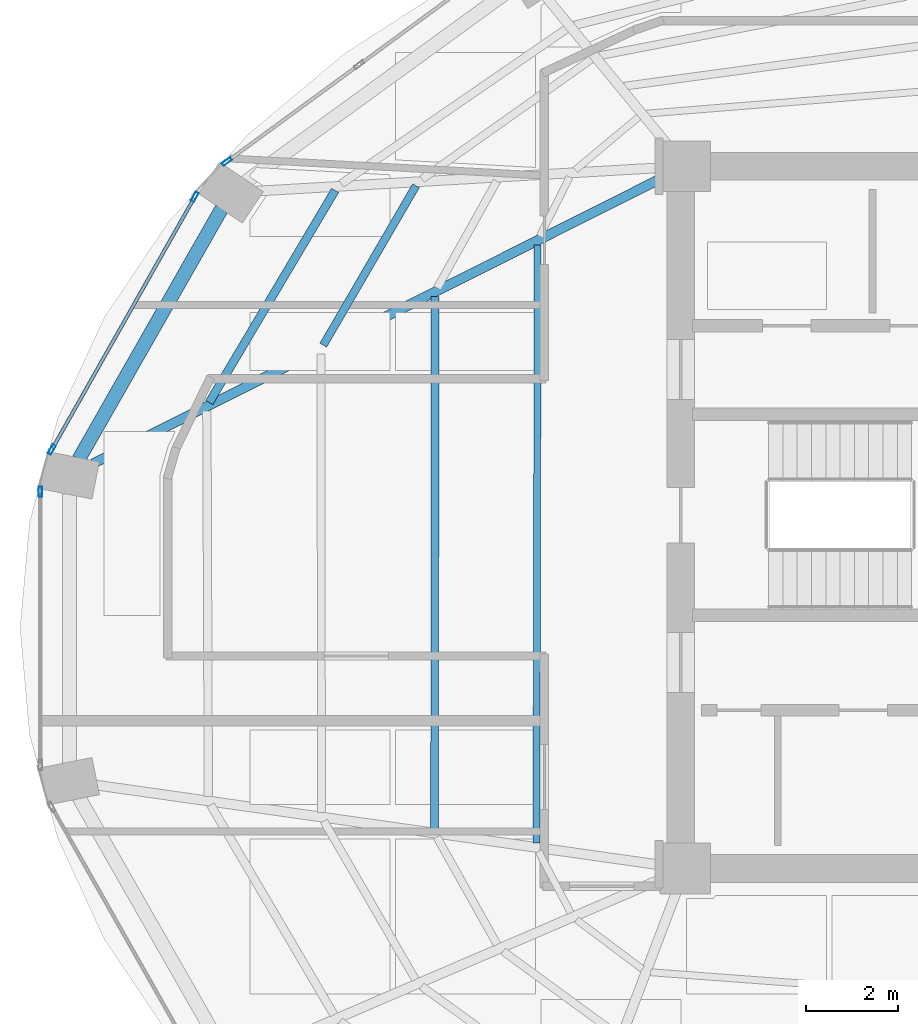
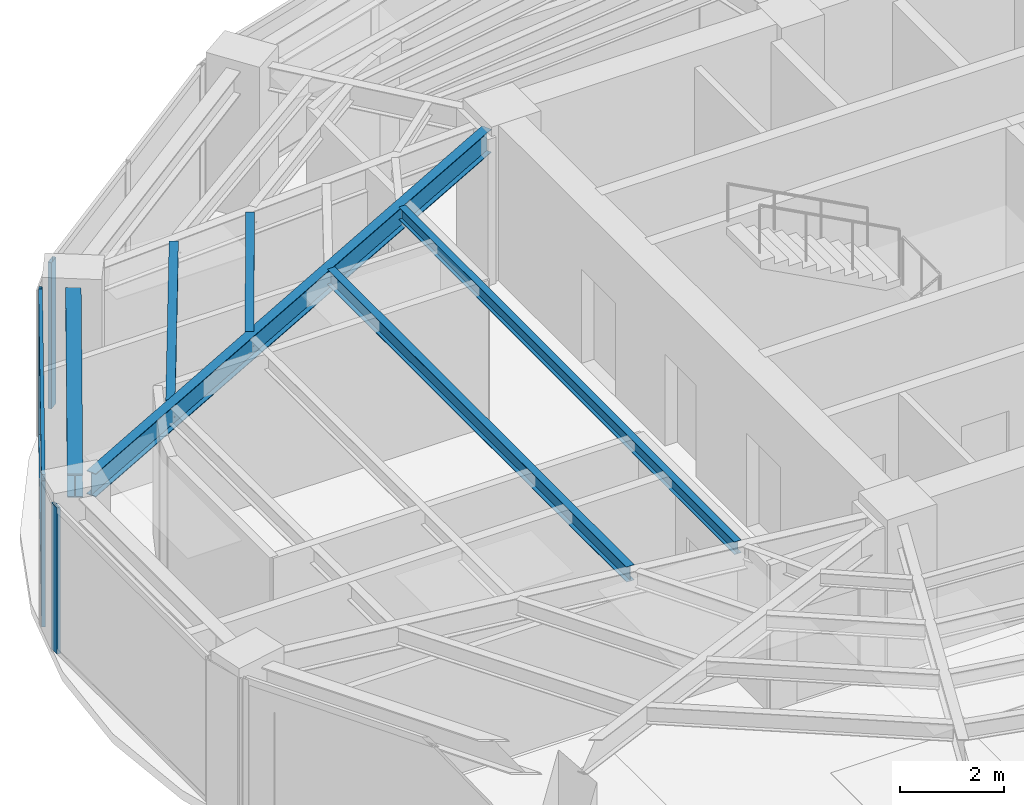
# One storey, part 6 of 20: 6 beams, 6 members, 3 elements without a shape of their own.
"""IFC4 building model written with IfcOpenShell, lengths in metres."""

import ifcopenshell
import ifcopenshell.guid

model = None  # the IFC model being written
_history = None  # IfcOwnerHistory: only IFC2X3 demands one
_inside = {}  # id of a spatial element -> (the spatial element, [elements in it])
_under = {}  # id of a project, library or spatial element -> (it, [spatial elements below it])
_declared = {}  # id of a project -> (the project, [libraries it declares])
_typed = {}  # id of a type object -> (the type object, [elements of that type])
_made_of = {}  # id of a material, layer set ... -> (it, [elements and type objects made of it])


def new_model(schema):
    """Start an empty IFC model of exactly this schema.

    Asked for "IFC4X3", IfcOpenShell would pick the latest addendum, in which some entities
    have other attributes; the version numbers below select the first issue.
    IFC2X3 requires an IfcOwnerHistory on every rooted entity: one is made here for all.
    """
    global model, _history
    if schema == "IFC4X3":
        model = ifcopenshell.file(schema_version=(4, 3, 0, 0))
    else:
        model = ifcopenshell.file(schema=schema)
    _inside.clear()
    _under.clear()
    _declared.clear()
    _typed.clear()
    _made_of.clear()
    _history = None
    if model.schema == "IFC2X3":
        org = make("IfcOrganization", Name="unknown")
        user = make(
            "IfcPersonAndOrganization",
            ThePerson=make("IfcPerson", FamilyName="unknown"),
            TheOrganization=org,
        )
        app = make(
            "IfcApplication",
            ApplicationDeveloper=org,
            Version="unknown",
            ApplicationFullName="unknown",
            ApplicationIdentifier="unknown",
        )
        _history = make(
            "IfcOwnerHistory",
            OwningUser=user,
            OwningApplication=app,
            ChangeAction="ADDED",
            CreationDate=0,
        )
    return model


def make(cls, **values):
    """One entity of the class cls with the attributes given. An attribute that is None is left unset."""
    return model.create_entity(
        cls, **{name: value for name, value in values.items() if value is not None}
    )


def rooted(cls, **values):
    """An entity with a GlobalId (a new one), such as an element, a storey or a relation."""
    return make(cls, GlobalId=ifcopenshell.guid.new(), OwnerHistory=_history, **values)


def si_unit(unit_type, name, prefix=None):
    """IfcSIUnit, for example si_unit("LENGTHUNIT", "METRE", prefix="MILLI")."""
    return make("IfcSIUnit", UnitType=unit_type, Prefix=prefix, Name=name)


def assignment(units):
    """IfcUnitAssignment: the units of a project."""
    return None if units is None else make("IfcUnitAssignment", Units=units)


def point(xyz):
    """IfcCartesianPoint."""
    return None if xyz is None else make("IfcCartesianPoint", Coordinates=xyz)


def direction(xyz):
    """IfcDirection."""
    return None if xyz is None else make("IfcDirection", DirectionRatios=xyz)


def frame(location, z_axis=None, x_axis=None):
    """IfcAxis2Placement3D, a coordinate frame: its origin and axes. An axis left out is left unset."""
    return make(
        "IfcAxis2Placement3D",
        Location=point(location),
        Axis=direction(z_axis),
        RefDirection=direction(x_axis),
    )


def frame_2d(location, x_axis=None):
    """IfcAxis2Placement2D, a coordinate frame in the plane: its origin and x axis."""
    return make(
        "IfcAxis2Placement2D", Location=point(location), RefDirection=direction(x_axis)
    )


def origin():
    """The frame at (0, 0, 0) with its axes left unset."""
    return frame((0.0, 0.0, 0.0))


def origin_2d():
    """The frame at (0, 0) in the plane with its x axis left unset."""
    return frame_2d((0.0, 0.0))


def place(relative_to, where):
    """IfcLocalPlacement: puts the frame where relative to a parent placement (None: the world)."""
    return make(
        "IfcLocalPlacement", PlacementRelTo=relative_to, RelativePlacement=where
    )


def context(
    kind, dimensions, precision=None, world=None, true_north=None, identifier=None
):
    """IfcGeometricRepresentationContext, for example the 3D "Model" context."""
    return make(
        "IfcGeometricRepresentationContext",
        ContextIdentifier=identifier,
        ContextType=kind,
        CoordinateSpaceDimension=dimensions,
        Precision=precision,
        WorldCoordinateSystem=world,
        TrueNorth=true_north,
    )


def subcontext(parent, identifier, kind, view, scale=None):
    """IfcGeometricRepresentationSubContext, for example "Body" below "Model"."""
    return make(
        "IfcGeometricRepresentationSubContext",
        ContextIdentifier=identifier,
        ContextType=kind,
        ParentContext=parent,
        TargetScale=scale,
        TargetView=view,
    )


def project(units=None, contexts=None):
    """IfcProject with its units and contexts."""
    return rooted(
        "IfcProject",
        Name="project",
        RepresentationContexts=contexts,
        UnitsInContext=assignment(units),
    )


def spatial(cls, under=None, at=None, **own):
    """A site, building, storey or space (cls), placed at a placement, below another one or the project."""
    s = rooted(cls, ObjectPlacement=at, **own)
    if under is not None:
        _under.setdefault(under.id(), (under, []))[1].append(s)
    return s


def profile(cls, at=None, kind="AREA", **sizes):
    """A parametric profile (cls). Its sizes go by their IFC names, for example OverallWidth=200.0."""
    return make(cls, ProfileType=kind, Position=at, **sizes)


def hollow_rectangle(**sizes):
    """IfcRectangleHollowProfileDef."""
    return profile("IfcRectangleHollowProfileDef", **sizes)


def i_section(**sizes):
    """IfcIShapeProfileDef."""
    return profile("IfcIShapeProfileDef", **sizes)


def extrude(swept, where, along, depth):
    """IfcExtrudedAreaSolid: the profile swept, set in the frame where, extruded along a direction by depth."""
    return make(
        "IfcExtrudedAreaSolid",
        SweptArea=swept,
        Position=where,
        ExtrudedDirection=direction(along),
        Depth=depth,
    )


def shape(context_of_items, identifier, shape_type, items):
    """IfcShapeRepresentation: the items that make up one representation, for example the "Body"."""
    return make(
        "IfcShapeRepresentation",
        ContextOfItems=context_of_items,
        RepresentationIdentifier=identifier,
        RepresentationType=shape_type,
        Items=items,
    )


def material(Name=None, Category=None):
    """IfcMaterial."""
    return make("IfcMaterial", Name=Name, Category=Category)


def layer(
    of_material, thickness, ventilated=None, Name=None, Category=None, Priority=None
):
    """IfcMaterialLayer: one layer of a wall or slab, of a material (None: an air gap)."""
    return make(
        "IfcMaterialLayer",
        Material=of_material,
        LayerThickness=thickness,
        IsVentilated=ventilated,
        Name=Name,
        Category=Category,
        Priority=Priority,
    )


def layer_set(layers, Name=None):
    """IfcMaterialLayerSet."""
    return make("IfcMaterialLayerSet", MaterialLayers=layers, LayerSetName=Name)


def material_profile(
    of_material, cross_section, Name=None, Category=None, Priority=None
):
    """IfcMaterialProfile: a cross section and its material."""
    return make(
        "IfcMaterialProfile",
        Name=Name,
        Material=of_material,
        Profile=cross_section,
        Priority=Priority,
        Category=Category,
    )


def profile_set(profiles, Name=None, composite=None):
    """IfcMaterialProfileSet."""
    return make(
        "IfcMaterialProfileSet",
        Name=Name,
        MaterialProfiles=profiles,
        CompositeProfile=composite,
    )


def made_of(thing, what):
    """Note that an element or type object is made of a material, layer set ...; save() writes the relation."""
    if what is not None:
        _made_of.setdefault(what.id(), (what, []))[1].append(thing)
    return thing


def type_object(cls, material=None, **own):
    """A type object (cls), such as IfcWallType, which elements share."""
    return made_of(rooted(cls, **own), material)


def element(
    cls,
    number,
    at=None,
    inside=None,
    cuts=None,
    type_object=None,
    material=None,
    context=None,
    identifier="Body",
    shape_type=None,
    held_by="IfcProductDefinitionShape",
    body=None,
    shapes=None,
    **own,
):
    """One element of the class cls, such as IfcWall. Its Tag is "e" and its number.

    at: its placement. inside: the storey or other place that contains it. cuts: it is an
    opening in that element (IfcRelVoidsElement). A single representation is given by context,
    identifier, shape_type and body (its items); several are given by shapes. held_by: the class
    of the entity that holds the representations. save() writes the other relations.
    """
    e = rooted(cls, Tag="e%d" % number, ObjectPlacement=at, **own)
    if body is not None:
        shapes = [shape(context, identifier, shape_type, body)]
    if shapes is not None:
        e.Representation = make(held_by, Representations=shapes)
    if inside is not None:
        _inside.setdefault(inside.id(), (inside, []))[1].append(e)
    if cuts is not None:
        rooted(
            "IfcRelVoidsElement", RelatingBuildingElement=cuts, RelatedOpeningElement=e
        )
    if type_object is not None:
        _typed.setdefault(type_object.id(), (type_object, []))[1].append(e)
    return made_of(e, material)


def aggregate(whole, parts):
    """IfcRelAggregates: a whole, such as a stair, and the parts it consists of."""
    return rooted("IfcRelAggregates", RelatingObject=whole, RelatedObjects=parts)


def save(model, path):
    """Write the relations noted so far, then the file.

    IfcRelAggregates (storeys below a building ...), IfcRelContainedInSpatialStructure (elements
    in a storey), IfcRelDefinesByType, IfcRelAssociatesMaterial and IfcRelDeclares: one each for
    every whole, place, type object, material and project.
    """
    for whole, parts in _under.values():
        aggregate(whole, parts)
    for where, things in _inside.values():
        rooted(
            "IfcRelContainedInSpatialStructure",
            RelatedElements=things,
            RelatingStructure=where,
        )
    for kind, things in _typed.values():
        rooted("IfcRelDefinesByType", RelatedObjects=things, RelatingType=kind)
    for what, things in _made_of.values():
        rooted("IfcRelAssociatesMaterial", RelatedObjects=things, RelatingMaterial=what)
    for by, libraries in _declared.values():
        rooted("IfcRelDeclares", RelatingContext=by, RelatedDefinitions=libraries)
    model.write(path)


model = new_model("IFC4")

# Units and contexts
model_context = context("Model", 3, precision=1e-05, world=origin(), true_north=direction((0.0, 1.0)))
body_context = subcontext(model_context, "Body", "Model", "MODEL_VIEW")
ifc_project = project(units=[si_unit("LENGTHUNIT", "METRE"), si_unit("AREAUNIT", "SQUARE_METRE"), si_unit("VOLUMEUNIT", "CUBIC_METRE"), si_unit("PLANEANGLEUNIT", "RADIAN"), si_unit("MASSUNIT", "GRAM", prefix="KILO")], contexts=[model_context])

# Site, building, storey
site_placement = place(None, origin())
site = spatial("IfcSite", under=ifc_project, at=site_placement, CompositionType="ELEMENT")
building_placement = place(site_placement, origin())
building = spatial("IfcBuilding", under=site, at=building_placement, Name="Lazwardi Medical Tower", CompositionType="ELEMENT")
storey_placement = place(building_placement, frame((0.0, 0.0, 182.06396484375)))
storey = spatial("IfcBuildingStorey", under=building, at=storey_placement, Name="L47", CompositionType="ELEMENT", Elevation=182.06396484375)

# Beams
ifc_material_1 = material(Name="Steel S355", Category="steel")
ifc_material_profile_1 = material_profile(ifc_material_1, i_section(OverallWidth=0.300048828125, OverallDepth=0.550048828125, WebThickness=0.014892578125, FlangeThickness=0.029052734375, at=origin_2d()), Name="HEB 550")
ifc_profile_set_1 = profile_set([ifc_material_profile_1], Name="Steel S355")
beam_type_1 = type_object("IfcBeamType", Name="BM-RB-Z3", PredefinedType="BEAM", material=ifc_profile_set_1)
beam_1_placement = place(storey_placement, frame((16.3662109375, 34.683349609375, 3.153076171875), z_axis=(-0.495477752551, -0.868620628771, 0.0), x_axis=(0.868620628771, -0.495477752551, 0.0)))
element("IfcBeam", 1, at=beam_1_placement, inside=storey, type_object=beam_type_1, Name="Ring beam RB-04 B11 L47", PredefinedType="BEAM", context=body_context, shape_type="SweptSolid", body=[
    extrude(i_section(OverallWidth=0.300048828125, OverallDepth=0.550048828125, WebThickness=0.014892578125, FlangeThickness=0.029052734375, at=origin_2d()), origin(), (0.0, 0.0, 1.0), 6.244384765625),
])
ifc_material_profile_2 = material_profile(ifc_material_1, i_section(OverallWidth=0.2099609375, OverallDepth=0.550048828125, WebThickness=0.010986328125, FlangeThickness=0.01708984375, at=origin_2d()), Name="IPE 550")
ifc_profile_set_2 = profile_set([ifc_material_profile_2], Name="Steel S355")
beam_type_2 = type_object("IfcBeamType", Name="BM-RG-W2", PredefinedType="BEAM", material=ifc_profile_set_2)
beam_2_placement = place(storey_placement, frame((13.57470703125, 29.162841796875, 3.153076171875), z_axis=(0.893740468624, 0.448584412061, 0.0), x_axis=(-0.448584412061, 0.893740468624, 0.0)))
element("IfcBeam", 2, at=beam_2_placement, inside=storey, type_object=beam_type_2, Name="Radial girder RG-03 R12 L47", PredefinedType="BEAM", context=body_context, shape_type="SweptSolid", body=[
    extrude(i_section(OverallWidth=0.2099609375, OverallDepth=0.550048828125, WebThickness=0.010986328125, FlangeThickness=0.01708984375, at=origin_2d()), origin(), (0.0, 0.0, 1.0), 13.815185546875),
])
ifc_material_profile_3 = material_profile(ifc_material_1, i_section(OverallWidth=0.179931640625, OverallDepth=0.39990234375, WebThickness=0.008544921875, FlangeThickness=0.013427734375, at=origin_2d()), Name="IPE 400")
ifc_profile_set_3 = profile_set([ifc_material_profile_3], Name="Steel S355")
beam_type_3 = type_object("IfcBeamType", Name="BM-SJ-01", PredefinedType="JOIST", material=ifc_profile_set_3)
beam_3_placement = place(storey_placement, frame((18.82080078125, 35.078369140625, 3.22802734375), z_axis=(-0.510569396963, -0.859836548935, 0.0), x_axis=(0.859836548935, -0.510569396963, 0.0)))
element("IfcBeam", 3, at=beam_3_placement, inside=storey, type_object=beam_type_3, Name="Secondary joist SJ-01 R1 B11 L47", PredefinedType="JOIST", context=body_context, shape_type="SweptSolid", body=[
    extrude(i_section(OverallWidth=0.179931640625, OverallDepth=0.39990234375, WebThickness=0.008544921875, FlangeThickness=0.013427734375, at=origin_2d()), origin(), (0.0, 0.0, 1.0), 5.33837890625),
])
ifc_material_profile_4 = material_profile(ifc_material_1, i_section(OverallWidth=0.169921875, OverallDepth=0.360107421875, WebThickness=0.008056640625, FlangeThickness=0.0126953125, at=origin_2d()), Name="IPE 360")
ifc_profile_set_4 = profile_set([ifc_material_profile_4], Name="Steel S355")
beam_type_4 = type_object("IfcBeamType", Name="BM-SJ-02", PredefinedType="JOIST", material=ifc_profile_set_4)
beam_4_placement = place(storey_placement, frame((20.5703125, 35.17919921875, 3.248046875), z_axis=(-0.502665102216, -0.864481228839, 0.0), x_axis=(0.864481228839, -0.502665102216, 0.0)))
element("IfcBeam", 4, at=beam_4_placement, inside=storey, type_object=beam_type_4, Name="Secondary joist SJ-02 R2 B11 L47", PredefinedType="JOIST", context=body_context, shape_type="SweptSolid", body=[
    extrude(i_section(OverallWidth=0.169921875, OverallDepth=0.360107421875, WebThickness=0.008056640625, FlangeThickness=0.0126953125, at=origin_2d()), origin(), (0.0, 0.0, 1.0), 3.991943359375),
])
beam_5_placement = place(storey_placement, frame((20.98291015625, 32.78125, 3.248046875), z_axis=(-0.000805852776, -0.999999675301, 0.0), x_axis=(0.999999675301, -0.000805852776, 0.0)))
element("IfcBeam", 5, at=beam_5_placement, inside=storey, type_object=beam_type_4, Name="Secondary joist SJ-02 R3 B12 L47", PredefinedType="JOIST", context=body_context, shape_type="SweptSolid", body=[
    extrude(i_section(OverallWidth=0.169921875, OverallDepth=0.360107421875, WebThickness=0.008056640625, FlangeThickness=0.0126953125, at=origin_2d()), origin(), (0.0, 0.0, 1.0), 11.512451171875),
])
ifc_material_profile_5 = material_profile(ifc_material_1, i_section(OverallWidth=0.14990234375, OverallDepth=0.300048828125, WebThickness=0.007080078125, FlangeThickness=0.0107421875, at=origin_2d()), Name="IPE 300")
ifc_profile_set_5 = profile_set([ifc_material_profile_5], Name="Steel S355")
beam_type_5 = type_object("IfcBeamType", Name="BM-SJ-03", PredefinedType="JOIST", material=ifc_profile_set_5)
beam_6_placement = place(storey_placement, frame((23.205078125, 33.896484375, 3.278076171875), z_axis=(-0.002150897838, -0.999997686817, 0.0), x_axis=(0.999997686817, -0.002150897838, 0.0)))
element("IfcBeam", 6, at=beam_6_placement, inside=storey, type_object=beam_type_5, Name="Secondary joist SJ-03 R4 B12 L47", PredefinedType="JOIST", context=body_context, shape_type="SweptSolid", body=[
    extrude(i_section(OverallWidth=0.14990234375, OverallDepth=0.300048828125, WebThickness=0.007080078125, FlangeThickness=0.0107421875, at=origin_2d()), origin(), (0.0, 0.0, 1.0), 12.939697265625),
])

# Curtain wall, member
ifc_material_2 = material(Name="Anodised bronze aluminium and solar control glazing", Category="aluminium")
ifc_layer = layer(ifc_material_2, 0.195068359375)
ifc_layer_set = layer_set([ifc_layer], Name="Anodised bronze aluminium and solar control glazing")
curtain_wall_type = type_object("IfcCurtainWallType", Name="CW-SYS-03", PredefinedType="NOTDEFINED", material=ifc_layer_set)
curtain_wall_1_placement = place(storey_placement, origin())
curtain_wall_1 = element("IfcCurtainWall", 7, at=curtain_wall_1_placement, inside=storey, type_object=curtain_wall_type, Name="L47 Unitised bronze curtain wall CW-03", PredefinedType="NOTDEFINED")
ifc_material_3 = material(Name="Anodised bronze aluminium", Category="aluminium")
ifc_material_profile_6 = material_profile(ifc_material_3, hollow_rectangle(XDim=0.074951171875, YDim=0.219970703125, WallThickness=0.00390625, at=origin_2d()), Name="ALU-MULLION 220x75x4")
ifc_profile_set_6 = profile_set([ifc_material_profile_6], Name="Anodised bronze aluminium")
member_type_1 = type_object("IfcMemberType", Name="CW-MUL-01", PredefinedType="MULLION", material=ifc_profile_set_6)
member_1_placement = place(storey_placement, frame((16.480224609375, 35.702880859375, 0.0), z_axis=(0.0, 0.0, 1.0), x_axis=(0.590833862635, -0.806793249082, 0.0)))
member_1 = element("IfcMember", 8, at=member_1_placement, type_object=member_type_1, Name="CW-03 mullion 3", PredefinedType="MULLION", context=body_context, shape_type="SweptSolid", body=[
    extrude(hollow_rectangle(XDim=0.074951171875, YDim=0.219970703125, WallThickness=0.00390625, at=origin_2d()), origin(), (0.0, 0.0, 1.0), 3.427978515625),
])
aggregate(curtain_wall_1, [member_1])

# Curtain wall, members
curtain_wall_2_placement = place(storey_placement, origin())
curtain_wall_2 = element("IfcCurtainWall", 9, at=curtain_wall_2_placement, inside=storey, type_object=curtain_wall_type, Name="L47 Unitised bronze curtain wall CW-03", PredefinedType="NOTDEFINED")
member_2_placement = place(storey_placement, frame((15.782470703125, 34.936767578125, 0.0), z_axis=(0.0, 0.0, 1.0), x_axis=(0.870418989303, -0.492311672683, 0.0)))
member_2 = element("IfcMember", 10, at=member_2_placement, type_object=member_type_1, Name="CW-03 mullion 1", PredefinedType="MULLION", context=body_context, shape_type="SweptSolid", body=[
    extrude(hollow_rectangle(XDim=0.074951171875, YDim=0.219970703125, WallThickness=0.00390625, at=origin_2d()), origin(), (0.0, 0.0, 1.0), 3.427978515625),
])
member_3_placement = place(storey_placement, frame((12.68896484375, 29.46728515625, 0.0), z_axis=(0.0, 0.0, 1.0), x_axis=(0.870418989303, -0.492311672683, 0.0)))
member_3 = element("IfcMember", 11, at=member_3_placement, type_object=member_type_1, Name="CW-03 mullion 2", PredefinedType="MULLION", context=body_context, shape_type="SweptSolid", body=[
    extrude(hollow_rectangle(XDim=0.074951171875, YDim=0.219970703125, WallThickness=0.00390625, at=origin_2d()), origin(), (0.0, 0.0, 1.0), 3.427978515625),
])

# Curtain wall, member
curtain_wall_3_placement = place(storey_placement, origin())
curtain_wall_3 = element("IfcCurtainWall", 12, at=curtain_wall_3_placement, inside=storey, type_object=curtain_wall_type, Name="L47 Unitised bronze curtain wall CW-03", PredefinedType="NOTDEFINED")
member_4_placement = place(storey_placement, frame((12.4423828125, 28.557861328125, 0.0), z_axis=(0.0, 0.0, 1.0), x_axis=(1.0, 0.0, 0.0)))
member_4 = element("IfcMember", 13, at=member_4_placement, type_object=member_type_1, Name="CW-03 mullion 1", PredefinedType="MULLION", context=body_context, shape_type="SweptSolid", body=[
    extrude(hollow_rectangle(XDim=0.074951171875, YDim=0.219970703125, WallThickness=0.00390625, at=origin_2d()), origin(), (0.0, 0.0, 1.0), 3.427978515625),
])
aggregate(curtain_wall_3, [member_4])

# Member
ifc_material_profile_7 = material_profile(ifc_material_3, hollow_rectangle(XDim=0.074951171875, YDim=0.159912109375, WallThickness=0.00390625, at=origin_2d()), Name="ALU-TRANSOM 160x75x4")
ifc_profile_set_7 = profile_set([ifc_material_profile_7], Name="Anodised bronze aluminium")
member_type_2 = type_object("IfcMemberType", Name="CW-TRN-01", PredefinedType="USERDEFINED", material=ifc_profile_set_7)
member_5_placement = place(storey_placement, frame((15.763916015625, 34.904052734375, 0.03759765625), z_axis=(-0.492322860598, -0.870412661289, 0.0), x_axis=(0.870412661289, -0.492322860598, 0.0)))
member_5 = element("IfcMember", 14, at=member_5_placement, type_object=member_type_2, Name="CW-03 transom 1.1", ObjectType="TRANSOM", PredefinedType="USERDEFINED", context=body_context, shape_type="SweptSolid", body=[
    extrude(hollow_rectangle(XDim=0.074951171875, YDim=0.159912109375, WallThickness=0.00390625, at=origin_2d()), origin(), (0.0, 0.0, 1.0), 6.20849609375),
])

member_6_placement = place(storey_placement, frame((15.763916015625, 34.904052734375, 3.390625), z_axis=(-0.492322860598, -0.870412661289, 0.0), x_axis=(0.870412661289, -0.492322860598, 0.0)))
member_6 = element("IfcMember", 15, at=member_6_placement, type_object=member_type_2, Name="CW-03 transom 1.2", ObjectType="TRANSOM", PredefinedType="USERDEFINED", context=body_context, shape_type="SweptSolid", body=[
    extrude(hollow_rectangle(XDim=0.074951171875, YDim=0.159912109375, WallThickness=0.00390625, at=origin_2d()), origin(), (0.0, 0.0, 1.0), 6.20849609375),
])

aggregate(curtain_wall_2, [member_2, member_3, member_5, member_6])

save(model, "model.ifc")
